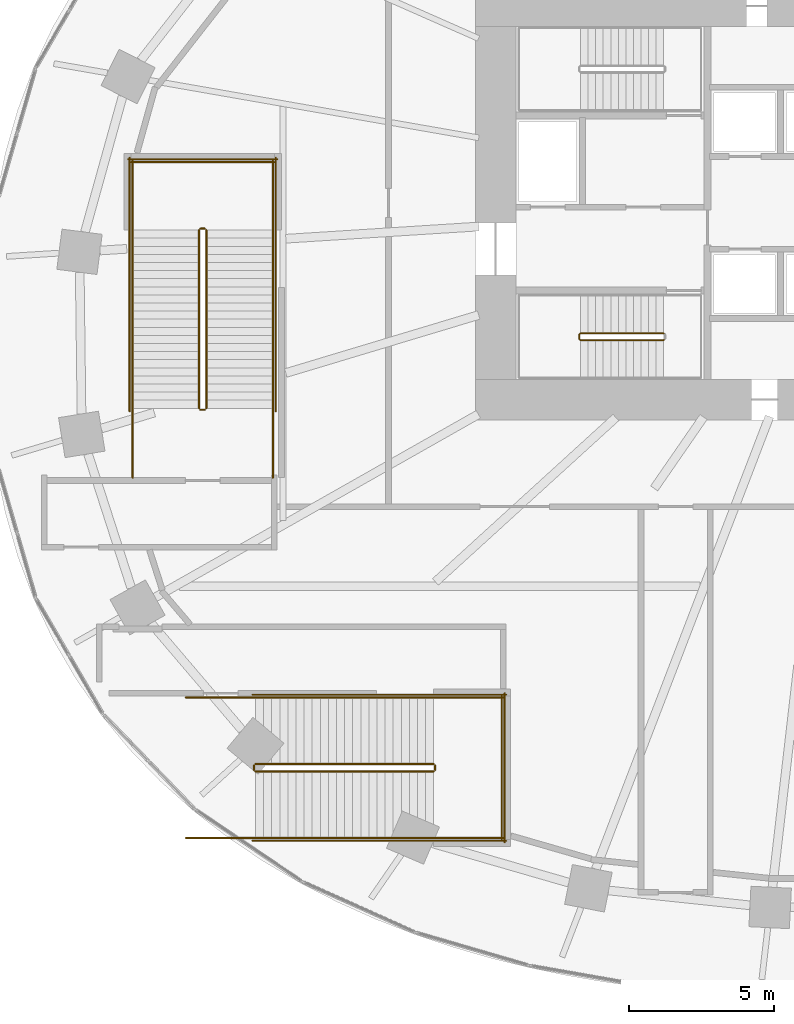
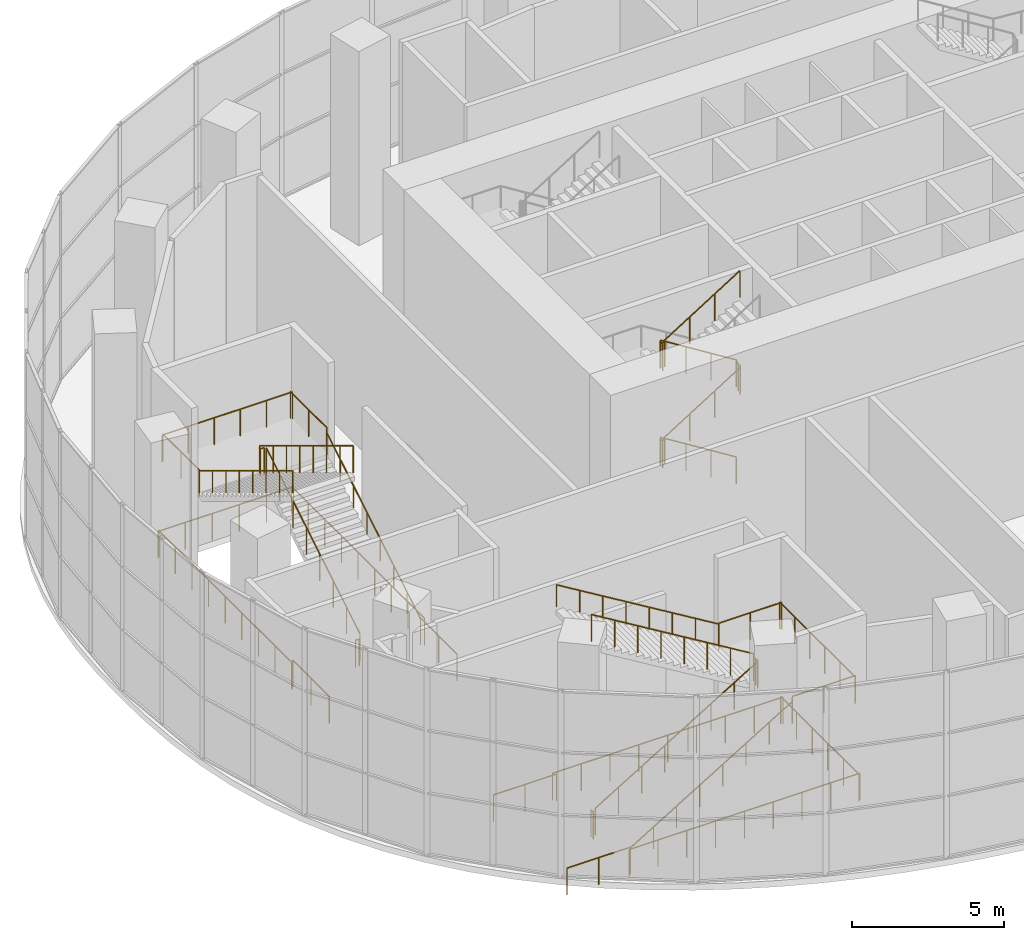
# One storey, part 18 of 22: 29 railings.
"""IFC4 building model written with IfcOpenShell, lengths in metres."""

from ifc_helpers import new_model, si_unit, direction, frame, origin, origin_2d, place, context, subcontext, project, spatial, circle, extrude, material, type_object, element, save


model = new_model("IFC4")

# Units and contexts
model_context = context("Model", 3, precision=1e-05, world=origin(), true_north=direction((0.0, 1.0)))
body_context = subcontext(model_context, "Body", "Model", "MODEL_VIEW")
ifc_project = project(units=[si_unit("LENGTHUNIT", "METRE"), si_unit("AREAUNIT", "SQUARE_METRE"), si_unit("VOLUMEUNIT", "CUBIC_METRE"), si_unit("PLANEANGLEUNIT", "RADIAN"), si_unit("MASSUNIT", "GRAM", prefix="KILO")], contexts=[model_context])

# Site, building, storey
site_placement = place(None, origin())
site = spatial("IfcSite", under=ifc_project, at=site_placement, CompositionType="ELEMENT")
building_placement = place(site_placement, origin())
building = spatial("IfcBuilding", under=site, at=building_placement, Name="Rubra Terraces Tower", CompositionType="ELEMENT")
storey_placement = place(building_placement, frame((0.0, 0.0, 7.199951171875)))
storey = spatial("IfcBuildingStorey", under=building, at=storey_placement, Name="L01", CompositionType="ELEMENT", Elevation=7.199951171875)

# Railings
ifc_material = material(Name="Stainless steel", Category="steel")
railing_type_1 = type_object("IfcRailingType", Name="Core stair guard 1100", PredefinedType="GUARDRAIL", material=ifc_material)
railing_1_placement = place(storey_placement, frame((-6.5, 0.0, 0.16259765625)))
element("IfcRailing", 1, at=railing_1_placement, inside=storey, type_object=railing_type_1, Name="L01 stair S1 guard 1", PredefinedType="GUARDRAIL", context=body_context, shape_type="SweptSolid", body=[
    extrude(circle(Radius=0.02392578125, at=origin_2d()), frame((0.0, 0.0, 1.076171875), z_axis=(-0.848026770018, 0.0, 0.529953391661), x_axis=(0.0, -1.0, 0.0)), (0.0, 0.0, 1.0), 3.37255859375),
    extrude(circle(Radius=0.02392578125, at=origin_2d()), frame((-2.860107421875, 0.0, 2.86328125), z_axis=(-0.705375805398, -0.708833529934, 0.0), x_axis=(0.708833529934, -0.705375805398, 0.0)), (0.0, 0.0, 1.0), 0.070556640625),
    extrude(circle(Radius=0.02392578125, at=origin_2d()), frame((-2.909912109375, -0.050048828125, 2.86328125), z_axis=(0.0, -1.0, 0.0), x_axis=(1.0, 0.0, 0.0)), (0.0, 0.0, 1.0), 0.14990234375),
    extrude(circle(Radius=0.02392578125, at=origin_2d()), frame((-2.909912109375, -0.199951171875, 2.86328125), z_axis=(0.280959487676, -0.282336740067, 0.917250092119), x_axis=(0.708833529934, 0.705375805398, 0.0)), (0.0, 0.0, 1.0), 0.17724609375),
    extrude(circle(Radius=0.02392578125, at=origin_2d()), frame((-2.860107421875, -0.25, 3.02587890625), z_axis=(0.847994237388, 0.0, 0.530005446535), x_axis=(0.0, 1.0, 0.0)), (0.0, 0.0, 1.0), 3.372802734375),
    extrude(circle(Radius=0.02392578125, at=origin_2d()), frame((0.0, -0.25, 4.8134765625), z_axis=(0.707106781187, 0.707106781187, 0.0), x_axis=(-0.707106781187, 0.707106781187, 0.0)), (0.0, 0.0, 1.0), 0.07080078125),
    extrude(circle(Radius=0.02392578125, at=origin_2d()), frame((0.050048828125, -0.199951171875, 4.8134765625), z_axis=(0.0, 1.0, 0.0), x_axis=(-1.0, 0.0, 0.0)), (0.0, 0.0, 1.0), 0.14990234375),
    extrude(circle(Radius=0.02392578125, at=origin_2d()), frame((0.050048828125, -0.050048828125, 4.8134765625), z_axis=(-0.282583949758, 0.282583949758, 0.916674763849), x_axis=(-0.707106781187, -0.707106781187, 0.0)), (0.0, 0.0, 1.0), 0.177001953125),
    extrude(circle(Radius=0.02392578125, at=origin_2d()), frame((0.0, 0.0, 4.97607421875), z_axis=(-0.847994237388, 0.0, 0.530005446535), x_axis=(0.0, -1.0, 0.0)), (0.0, 0.0, 1.0), 3.372802734375),
    extrude(circle(Radius=0.02392578125, at=origin_2d()), frame((-2.860107421875, 0.0, 6.763671875), z_axis=(-0.705375805398, -0.708833529934, 0.0), x_axis=(0.708833529934, -0.705375805398, 0.0)), (0.0, 0.0, 1.0), 0.070556640625),
    extrude(circle(Radius=0.02392578125, at=origin_2d()), frame((-2.909912109375, -0.050048828125, 6.763671875), z_axis=(0.0, -1.0, 0.0), x_axis=(1.0, 0.0, 0.0)), (0.0, 0.0, 1.0), 0.14990234375),
    extrude(circle(Radius=0.02392578125, at=origin_2d()), frame((-2.909912109375, -0.199951171875, 6.763671875), z_axis=(0.281314826061, -0.282693820306, 0.917031173188), x_axis=(0.708833529934, 0.705375805398, 0.0)), (0.0, 0.0, 1.0), 0.177001953125),
    extrude(circle(Radius=0.02392578125, at=origin_2d()), frame((-2.860107421875, -0.25, 6.92578125), z_axis=(0.847994237388, 0.0, 0.530005446535), x_axis=(0.0, 1.0, 0.0)), (0.0, 0.0, 1.0), 3.372802734375),
    extrude(circle(Radius=0.02099609375, at=origin_2d()), origin(), (0.0, 0.0, 1.0), 1.052001953125),
    extrude(circle(Radius=0.02099609375, at=origin_2d()), frame((-0.953369140625, 0.0, 0.595703125)), (0.0, 0.0, 1.0), 1.052001953125),
    extrude(circle(Radius=0.02099609375, at=origin_2d()), frame((-1.90673828125, 0.0, 1.191650390625)), (0.0, 0.0, 1.0), 1.052001953125),
    extrude(circle(Radius=0.02099609375, at=origin_2d()), frame((-2.860107421875, 0.0, 1.787353515625)), (0.0, 0.0, 1.0), 1.052001953125),
    extrude(circle(Radius=0.02099609375, at=origin_2d()), frame((-2.909912109375, -0.050048828125, 1.787353515625)), (0.0, 0.0, 1.0), 1.052001953125),
    extrude(circle(Radius=0.02099609375, at=origin_2d()), frame((-2.909912109375, -0.199951171875, 1.787353515625)), (0.0, 0.0, 1.0), 1.052001953125),
    extrude(circle(Radius=0.02099609375, at=origin_2d()), frame((-2.860107421875, -0.25, 1.949951171875)), (0.0, 0.0, 1.0), 1.052001953125),
    extrude(circle(Radius=0.02099609375, at=origin_2d()), frame((-1.90673828125, -0.25, 2.5458984375)), (0.0, 0.0, 1.0), 1.052001953125),
    extrude(circle(Radius=0.02099609375, at=origin_2d()), frame((-0.953369140625, -0.25, 3.1416015625)), (0.0, 0.0, 1.0), 1.052001953125),
    extrude(circle(Radius=0.02099609375, at=origin_2d()), frame((0.0, -0.25, 3.737548828125)), (0.0, 0.0, 1.0), 1.052001953125),
    extrude(circle(Radius=0.02099609375, at=origin_2d()), frame((0.050048828125, -0.199951171875, 3.737548828125)), (0.0, 0.0, 1.0), 1.052001953125),
    extrude(circle(Radius=0.02099609375, at=origin_2d()), frame((0.050048828125, -0.050048828125, 3.737548828125)), (0.0, 0.0, 1.0), 1.052001953125),
    extrude(circle(Radius=0.02099609375, at=origin_2d()), frame((0.0, 0.0, 3.89990234375)), (0.0, 0.0, 1.0), 1.052001953125),
    extrude(circle(Radius=0.02099609375, at=origin_2d()), frame((-0.953369140625, 0.0, 4.495849609375)), (0.0, 0.0, 1.0), 1.052001953125),
    extrude(circle(Radius=0.02099609375, at=origin_2d()), frame((-1.90673828125, 0.0, 5.091552734375)), (0.0, 0.0, 1.0), 1.052001953125),
    extrude(circle(Radius=0.02099609375, at=origin_2d()), frame((-2.860107421875, 0.0, 5.6875)), (0.0, 0.0, 1.0), 1.052001953125),
    extrude(circle(Radius=0.02099609375, at=origin_2d()), frame((-2.909912109375, -0.050048828125, 5.6875)), (0.0, 0.0, 1.0), 1.052001953125),
    extrude(circle(Radius=0.02099609375, at=origin_2d()), frame((-2.909912109375, -0.199951171875, 5.6875)), (0.0, 0.0, 1.0), 1.052001953125),
    extrude(circle(Radius=0.02099609375, at=origin_2d()), frame((-2.860107421875, -0.25, 5.849853515625)), (0.0, 0.0, 1.0), 1.052001953125),
    extrude(circle(Radius=0.02099609375, at=origin_2d()), frame((-1.90673828125, -0.25, 6.44580078125)), (0.0, 0.0, 1.0), 1.052001953125),
    extrude(circle(Radius=0.02099609375, at=origin_2d()), frame((-0.953369140625, -0.25, 7.04150390625)), (0.0, 0.0, 1.0), 1.052001953125),
    extrude(circle(Radius=0.02099609375, at=origin_2d()), frame((0.0, -0.25, 7.637451171875)), (0.0, 0.0, 1.0), 1.052001953125),
])
railing_type_2 = type_object("IfcRailingType", Name="Public stair guard 1100", PredefinedType="GUARDRAIL", material=ifc_material)
railing_2_placement = place(storey_placement, frame((-22.300048828125, -2.60009765625, 0.169677734375)))
element("IfcRailing", 2, at=railing_2_placement, inside=storey, type_object=railing_type_2, Name="L01 PS1 stair guard 1", PredefinedType="GUARDRAIL", context=body_context, shape_type="SweptSolid", body=[
    extrude(circle(Radius=0.02392578125, at=origin_2d()), frame((0.0, 0.0, 1.076171875), z_axis=(0.0, 0.855379917629, 0.518001154937), x_axis=(-1.0, 0.0, 0.0)), (0.0, 0.0, 1.0), 7.20166015625),
    extrude(circle(Radius=0.02099609375, at=origin_2d()), origin(), (0.0, 0.0, 1.0), 1.052001953125),
    extrude(circle(Radius=0.02099609375, at=origin_2d()), frame((0.0, 0.880126953125, 0.532958984375)), (0.0, 0.0, 1.0), 1.052001953125),
    extrude(circle(Radius=0.02099609375, at=origin_2d()), frame((0.0, 1.760009765625, 1.06591796875)), (0.0, 0.0, 1.0), 1.052001953125),
    extrude(circle(Radius=0.02099609375, at=origin_2d()), frame((0.0, 2.64013671875, 1.598876953125)), (0.0, 0.0, 1.0), 1.052001953125),
    extrude(circle(Radius=0.02099609375, at=origin_2d()), frame((0.0, 3.52001953125, 2.131591796875)), (0.0, 0.0, 1.0), 1.052001953125),
    extrude(circle(Radius=0.02099609375, at=origin_2d()), frame((0.0, 4.400146484375, 2.66455078125)), (0.0, 0.0, 1.0), 1.052001953125),
    extrude(circle(Radius=0.02099609375, at=origin_2d()), frame((0.0, 5.280029296875, 3.197509765625)), (0.0, 0.0, 1.0), 1.052001953125),
    extrude(circle(Radius=0.02099609375, at=origin_2d()), frame((0.0, 6.16015625, 3.73046875)), (0.0, 0.0, 1.0), 1.052001953125),
])
railing_3_placement = place(storey_placement, frame((-22.35009765625, 3.610107421875, 3.900146484375)))
element("IfcRailing", 3, at=railing_3_placement, inside=storey, type_object=railing_type_2, Name="L01 PS1 stair guard 2", PredefinedType="GUARDRAIL", context=body_context, shape_type="SweptSolid", body=[
    extrude(circle(Radius=0.02392578125, at=origin_2d()), frame((0.0, 0.0, 1.076171875), z_axis=(-1.0, 0.0, 0.0), x_axis=(0.0, -1.0, 0.0)), (0.0, 0.0, 1.0), 0.14990234375),
    extrude(circle(Radius=0.02099609375, at=origin_2d()), origin(), (0.0, 0.0, 1.0), 1.052001953125),
    extrude(circle(Radius=0.02099609375, at=origin_2d()), frame((-0.14990234375, 0.0, 0.0)), (0.0, 0.0, 1.0), 1.052001953125),
])
for number, where, name in (
    (4, (-20.0, 3.56005859375, 3.900146484375), "L01 PS1 stair guard 3"),
    (5, (-24.85009765625, 3.56005859375, 3.900146484375), "L01 PS1 stair guard 4"),
):
    element("IfcRailing", number, at=place(storey_placement, frame(where)), inside=storey, type_object=railing_type_2, Name=name, PredefinedType="GUARDRAIL", context=body_context, shape_type="SweptSolid", body=[
        extrude(circle(Radius=0.02392578125, at=origin_2d()), frame((0.0, 0.0, 1.076171875), z_axis=(0.0, 1.0, 0.0), x_axis=(-1.0, 0.0, 0.0)), (0.0, 0.0, 1.0), 2.39990234375),
        extrude(circle(Radius=0.02099609375, at=origin_2d()), origin(), (0.0, 0.0, 1.0), 1.052001953125),
        extrude(circle(Radius=0.02099609375, at=origin_2d()), frame((0.0, 1.199951171875, 0.0)), (0.0, 0.0, 1.0), 1.052001953125),
        extrude(circle(Radius=0.02099609375, at=origin_2d()), frame((0.0, 2.39990234375, 0.0)), (0.0, 0.0, 1.0), 1.052001953125),
    ])
railing_4_placement = place(storey_placement, frame((-19.949951171875, 5.909912109375, 3.900146484375)))
element("IfcRailing", 6, at=railing_4_placement, inside=storey, type_object=railing_type_2, Name="L01 PS1 stair guard 5", PredefinedType="GUARDRAIL", context=body_context, shape_type="SweptSolid", body=[
    extrude(circle(Radius=0.02392578125, at=origin_2d()), frame((0.0, 0.0, 1.076171875), z_axis=(-1.0, 0.0, 0.0), x_axis=(0.0, -1.0, 0.0)), (0.0, 0.0, 1.0), 4.949951171875),
    extrude(circle(Radius=0.02099609375, at=origin_2d()), origin(), (0.0, 0.0, 1.0), 1.052001953125),
    extrude(circle(Radius=0.02099609375, at=origin_2d()), frame((-0.989990234375, 0.0, 0.0)), (0.0, 0.0, 1.0), 1.052001953125),
    extrude(circle(Radius=0.02099609375, at=origin_2d()), frame((-1.97998046875, 0.0, 0.0)), (0.0, 0.0, 1.0), 1.052001953125),
    extrude(circle(Radius=0.02099609375, at=origin_2d()), frame((-2.969970703125, 0.0, 0.0)), (0.0, 0.0, 1.0), 1.052001953125),
    extrude(circle(Radius=0.02099609375, at=origin_2d()), frame((-3.9599609375, 0.0, 0.0)), (0.0, 0.0, 1.0), 1.052001953125),
    extrude(circle(Radius=0.02099609375, at=origin_2d()), frame((-4.949951171875, 0.0, 0.0)), (0.0, 0.0, 1.0), 1.052001953125),
])
railing_5_placement = place(storey_placement, frame((-22.550048828125, 3.56005859375, 4.069580078125)))
element("IfcRailing", 7, at=railing_5_placement, inside=storey, type_object=railing_type_2, Name="L01 PS1 stair guard 6", PredefinedType="GUARDRAIL", context=body_context, shape_type="SweptSolid", body=[
    extrude(circle(Radius=0.02392578125, at=origin_2d()), frame((0.0, 0.0, 1.076171875), z_axis=(0.0, -0.855379917629, 0.518001154937), x_axis=(1.0, 0.0, 0.0)), (0.0, 0.0, 1.0), 7.20166015625),
    extrude(circle(Radius=0.02099609375, at=origin_2d()), origin(), (0.0, 0.0, 1.0), 1.052001953125),
    extrude(circle(Radius=0.02099609375, at=origin_2d()), frame((0.0, -0.880126953125, 0.532958984375)), (0.0, 0.0, 1.0), 1.052001953125),
    extrude(circle(Radius=0.02099609375, at=origin_2d()), frame((0.0, -1.760009765625, 1.06591796875)), (0.0, 0.0, 1.0), 1.052001953125),
    extrude(circle(Radius=0.02099609375, at=origin_2d()), frame((0.0, -2.64013671875, 1.598876953125)), (0.0, 0.0, 1.0), 1.052001953125),
    extrude(circle(Radius=0.02099609375, at=origin_2d()), frame((0.0, -3.52001953125, 2.131591796875)), (0.0, 0.0, 1.0), 1.052001953125),
    extrude(circle(Radius=0.02099609375, at=origin_2d()), frame((0.0, -4.400146484375, 2.66455078125)), (0.0, 0.0, 1.0), 1.052001953125),
    extrude(circle(Radius=0.02099609375, at=origin_2d()), frame((0.0, -5.280029296875, 3.197509765625)), (0.0, 0.0, 1.0), 1.052001953125),
    extrude(circle(Radius=0.02099609375, at=origin_2d()), frame((0.0, -6.16015625, 3.73046875)), (0.0, 0.0, 1.0), 1.052001953125),
])
railing_6_placement = place(storey_placement, frame((-22.35009765625, -2.64990234375, 0.0)))
element("IfcRailing", 8, at=railing_6_placement, inside=storey, type_object=railing_type_2, Name="L01 PS1 stair guard 7", PredefinedType="GUARDRAIL", context=body_context, shape_type="SweptSolid", body=[
    extrude(circle(Radius=0.02392578125, at=origin_2d()), frame((0.0, 0.0, 1.076171875), z_axis=(-1.0, 0.0, 0.0), x_axis=(0.0, -1.0, 0.0)), (0.0, 0.0, 1.0), 0.14990234375),
    extrude(circle(Radius=0.02099609375, at=origin_2d()), origin(), (0.0, 0.0, 1.0), 1.052001953125),
    extrude(circle(Radius=0.02099609375, at=origin_2d()), frame((-0.14990234375, 0.0, 0.0)), (0.0, 0.0, 1.0), 1.052001953125),
])
for number, where, name in (
    (9, (-20.0, -5.0, 0.0), "L01 PS1 stair guard 8"),
    (10, (-24.85009765625, -5.0, 0.0), "L01 PS1 stair guard 9"),
):
    element("IfcRailing", number, at=place(storey_placement, frame(where)), inside=storey, type_object=railing_type_2, Name=name, PredefinedType="GUARDRAIL", context=body_context, shape_type="SweptSolid", body=[
        extrude(circle(Radius=0.02392578125, at=origin_2d()), frame((0.0, 0.0, 1.076171875), z_axis=(0.0, 1.0, 0.0), x_axis=(-1.0, 0.0, 0.0)), (0.0, 0.0, 1.0), 2.39990234375),
        extrude(circle(Radius=0.02099609375, at=origin_2d()), origin(), (0.0, 0.0, 1.0), 1.052001953125),
        extrude(circle(Radius=0.02099609375, at=origin_2d()), frame((0.0, 1.199951171875, 0.0)), (0.0, 0.0, 1.0), 1.052001953125),
        extrude(circle(Radius=0.02099609375, at=origin_2d()), frame((0.0, 2.39990234375, 0.0)), (0.0, 0.0, 1.0), 1.052001953125),
    ])
for number, where, name in (
    (11, (-19.89990234375, -2.699951171875, 0.0), "L01 PS1 stair guard 10"),
    (12, (-24.949951171875, -2.699951171875, 0.0), "L01 PS1 stair guard 11"),
):
    element("IfcRailing", number, at=place(storey_placement, frame(where)), inside=storey, type_object=railing_type_2, Name=name, PredefinedType="GUARDRAIL", context=body_context, shape_type="SweptSolid", body=[
        extrude(circle(Radius=0.02392578125, at=origin_2d()), frame((0.0, 0.0, 1.076171875), z_axis=(0.0, 1.0, 0.0), x_axis=(-1.0, 0.0, 0.0)), (0.0, 0.0, 1.0), 8.760009765625),
        extrude(circle(Radius=0.02099609375, at=origin_2d()), origin(), (0.0, 0.0, 1.0), 1.052001953125),
        extrude(circle(Radius=0.02099609375, at=origin_2d()), frame((0.0, 1.094970703125, 0.0)), (0.0, 0.0, 1.0), 1.052001953125),
        extrude(circle(Radius=0.02099609375, at=origin_2d()), frame((0.0, 2.18994140625, 0.0)), (0.0, 0.0, 1.0), 1.052001953125),
        extrude(circle(Radius=0.02099609375, at=origin_2d()), frame((0.0, 3.284912109375, 0.0)), (0.0, 0.0, 1.0), 1.052001953125),
        extrude(circle(Radius=0.02099609375, at=origin_2d()), frame((0.0, 4.3798828125, 0.0)), (0.0, 0.0, 1.0), 1.052001953125),
        extrude(circle(Radius=0.02099609375, at=origin_2d()), frame((0.0, 5.47509765625, 0.0)), (0.0, 0.0, 1.0), 1.052001953125),
        extrude(circle(Radius=0.02099609375, at=origin_2d()), frame((0.0, 6.570068359375, 0.0)), (0.0, 0.0, 1.0), 1.052001953125),
        extrude(circle(Radius=0.02099609375, at=origin_2d()), frame((0.0, 7.6650390625, 0.0)), (0.0, 0.0, 1.0), 1.052001953125),
        extrude(circle(Radius=0.02099609375, at=origin_2d()), frame((0.0, 8.760009765625, 0.0)), (0.0, 0.0, 1.0), 1.052001953125),
    ])
railing_7_placement = place(storey_placement, frame((-19.85009765625, 6.010009765625, 0.0)))
element("IfcRailing", 13, at=railing_7_placement, inside=storey, type_object=railing_type_2, Name="L01 PS1 stair guard 12", PredefinedType="GUARDRAIL", context=body_context, shape_type="SweptSolid", body=[
    extrude(circle(Radius=0.02392578125, at=origin_2d()), frame((0.0, 0.0, 1.076171875), z_axis=(-1.0, 0.0, 0.0), x_axis=(0.0, -1.0, 0.0)), (0.0, 0.0, 1.0), 5.14990234375),
    extrude(circle(Radius=0.02099609375, at=origin_2d()), origin(), (0.0, 0.0, 1.0), 1.052001953125),
    extrude(circle(Radius=0.02099609375, at=origin_2d()), frame((-1.030029296875, 0.0, 0.0)), (0.0, 0.0, 1.0), 1.052001953125),
    extrude(circle(Radius=0.02099609375, at=origin_2d()), frame((-2.06005859375, 0.0, 0.0)), (0.0, 0.0, 1.0), 1.052001953125),
    extrude(circle(Radius=0.02099609375, at=origin_2d()), frame((-3.08984375, 0.0, 0.0)), (0.0, 0.0, 1.0), 1.052001953125),
    extrude(circle(Radius=0.02099609375, at=origin_2d()), frame((-4.119873046875, 0.0, 0.0)), (0.0, 0.0, 1.0), 1.052001953125),
    extrude(circle(Radius=0.02099609375, at=origin_2d()), frame((-5.14990234375, 0.0, 0.0)), (0.0, 0.0, 1.0), 1.052001953125),
])
railing_8_placement = place(storey_placement, frame((-20.60009765625, -15.14990234375, 0.169677734375)))
element("IfcRailing", 14, at=railing_8_placement, inside=storey, type_object=railing_type_2, Name="L01 PS3 stair guard 1", PredefinedType="GUARDRAIL", context=body_context, shape_type="SweptSolid", body=[
    extrude(circle(Radius=0.02392578125, at=origin_2d()), frame((0.0, 0.0, 1.076171875), z_axis=(0.855379917629, 0.0, 0.518001154937), x_axis=(0.0, 1.0, 0.0)), (0.0, 0.0, 1.0), 7.20166015625),
    extrude(circle(Radius=0.02099609375, at=origin_2d()), origin(), (0.0, 0.0, 1.0), 1.052001953125),
    extrude(circle(Radius=0.02099609375, at=origin_2d()), frame((0.880126953125, 0.0, 0.532958984375)), (0.0, 0.0, 1.0), 1.052001953125),
    extrude(circle(Radius=0.02099609375, at=origin_2d()), frame((1.760009765625, 0.0, 1.06591796875)), (0.0, 0.0, 1.0), 1.052001953125),
    extrude(circle(Radius=0.02099609375, at=origin_2d()), frame((2.64013671875, 0.0, 1.598876953125)), (0.0, 0.0, 1.0), 1.052001953125),
    extrude(circle(Radius=0.02099609375, at=origin_2d()), frame((3.52001953125, 0.0, 2.131591796875)), (0.0, 0.0, 1.0), 1.052001953125),
    extrude(circle(Radius=0.02099609375, at=origin_2d()), frame((4.400146484375, 0.0, 2.66455078125)), (0.0, 0.0, 1.0), 1.052001953125),
    extrude(circle(Radius=0.02099609375, at=origin_2d()), frame((5.280029296875, 0.0, 3.197509765625)), (0.0, 0.0, 1.0), 1.052001953125),
    extrude(circle(Radius=0.02099609375, at=origin_2d()), frame((6.16015625, 0.0, 3.73046875)), (0.0, 0.0, 1.0), 1.052001953125),
])
railing_9_placement = place(storey_placement, frame((-14.389892578125, -15.10009765625, 3.900146484375)))
element("IfcRailing", 15, at=railing_9_placement, inside=storey, type_object=railing_type_2, Name="L01 PS3 stair guard 2", PredefinedType="GUARDRAIL", context=body_context, shape_type="SweptSolid", body=[
    extrude(circle(Radius=0.02392578125, at=origin_2d()), frame((0.0, 0.0, 1.076171875), z_axis=(0.0, 1.0, 0.0), x_axis=(-1.0, 0.0, 0.0)), (0.0, 0.0, 1.0), 0.150146484375),
    extrude(circle(Radius=0.02099609375, at=origin_2d()), origin(), (0.0, 0.0, 1.0), 1.052001953125),
    extrude(circle(Radius=0.02099609375, at=origin_2d()), frame((0.0, 0.150146484375, 0.0)), (0.0, 0.0, 1.0), 1.052001953125),
])
for number, where, name in (
    (16, (-14.43994140625, -17.449951171875, 3.900146484375), "L01 PS3 stair guard 3"),
    (17, (-14.43994140625, -12.60009765625, 3.900146484375), "L01 PS3 stair guard 4"),
):
    element("IfcRailing", number, at=place(storey_placement, frame(where)), inside=storey, type_object=railing_type_2, Name=name, PredefinedType="GUARDRAIL", context=body_context, shape_type="SweptSolid", body=[
        extrude(circle(Radius=0.02392578125, at=origin_2d()), frame((0.0, 0.0, 1.076171875), z_axis=(1.0, 0.0, 0.0), x_axis=(0.0, 1.0, 0.0)), (0.0, 0.0, 1.0), 2.39990234375),
        extrude(circle(Radius=0.02099609375, at=origin_2d()), origin(), (0.0, 0.0, 1.0), 1.052001953125),
        extrude(circle(Radius=0.02099609375, at=origin_2d()), frame((1.199951171875, 0.0, 0.0)), (0.0, 0.0, 1.0), 1.052001953125),
        extrude(circle(Radius=0.02099609375, at=origin_2d()), frame((2.39990234375, 0.0, 0.0)), (0.0, 0.0, 1.0), 1.052001953125),
    ])
railing_10_placement = place(storey_placement, frame((-12.090087890625, -17.5, 3.900146484375)))
element("IfcRailing", 18, at=railing_10_placement, inside=storey, type_object=railing_type_2, Name="L01 PS3 stair guard 5", PredefinedType="GUARDRAIL", context=body_context, shape_type="SweptSolid", body=[
    extrude(circle(Radius=0.02392578125, at=origin_2d()), frame((0.0, 0.0, 1.076171875), z_axis=(0.0, 1.0, 0.0), x_axis=(-1.0, 0.0, 0.0)), (0.0, 0.0, 1.0), 4.949951171875),
    extrude(circle(Radius=0.02099609375, at=origin_2d()), origin(), (0.0, 0.0, 1.0), 1.052001953125),
    extrude(circle(Radius=0.02099609375, at=origin_2d()), frame((0.0, 0.989990234375, 0.0)), (0.0, 0.0, 1.0), 1.052001953125),
    extrude(circle(Radius=0.02099609375, at=origin_2d()), frame((0.0, 1.97998046875, 0.0)), (0.0, 0.0, 1.0), 1.052001953125),
    extrude(circle(Radius=0.02099609375, at=origin_2d()), frame((0.0, 2.969970703125, 0.0)), (0.0, 0.0, 1.0), 1.052001953125),
    extrude(circle(Radius=0.02099609375, at=origin_2d()), frame((0.0, 3.9599609375, 0.0)), (0.0, 0.0, 1.0), 1.052001953125),
    extrude(circle(Radius=0.02099609375, at=origin_2d()), frame((0.0, 4.949951171875, 0.0)), (0.0, 0.0, 1.0), 1.052001953125),
])
railing_11_placement = place(storey_placement, frame((-14.43994140625, -14.89990234375, 4.069580078125)))
element("IfcRailing", 19, at=railing_11_placement, inside=storey, type_object=railing_type_2, Name="L01 PS3 stair guard 6", PredefinedType="GUARDRAIL", context=body_context, shape_type="SweptSolid", body=[
    extrude(circle(Radius=0.02392578125, at=origin_2d()), frame((0.0, 0.0, 1.076171875), z_axis=(-0.855379917629, 0.0, 0.518001154937), x_axis=(0.0, -1.0, 0.0)), (0.0, 0.0, 1.0), 7.20166015625),
    extrude(circle(Radius=0.02099609375, at=origin_2d()), origin(), (0.0, 0.0, 1.0), 1.052001953125),
    extrude(circle(Radius=0.02099609375, at=origin_2d()), frame((-0.880126953125, 0.0, 0.532958984375)), (0.0, 0.0, 1.0), 1.052001953125),
    extrude(circle(Radius=0.02099609375, at=origin_2d()), frame((-1.760009765625, 0.0, 1.06591796875)), (0.0, 0.0, 1.0), 1.052001953125),
    extrude(circle(Radius=0.02099609375, at=origin_2d()), frame((-2.64013671875, 0.0, 1.598876953125)), (0.0, 0.0, 1.0), 1.052001953125),
    extrude(circle(Radius=0.02099609375, at=origin_2d()), frame((-3.52001953125, 0.0, 2.131591796875)), (0.0, 0.0, 1.0), 1.052001953125),
    extrude(circle(Radius=0.02099609375, at=origin_2d()), frame((-4.400146484375, 0.0, 2.66455078125)), (0.0, 0.0, 1.0), 1.052001953125),
    extrude(circle(Radius=0.02099609375, at=origin_2d()), frame((-5.280029296875, 0.0, 3.197509765625)), (0.0, 0.0, 1.0), 1.052001953125),
    extrude(circle(Radius=0.02099609375, at=origin_2d()), frame((-6.16015625, 0.0, 3.73046875)), (0.0, 0.0, 1.0), 1.052001953125),
])
railing_12_placement = place(storey_placement, frame((-20.64990234375, -15.10009765625, 0.0)))
element("IfcRailing", 20, at=railing_12_placement, inside=storey, type_object=railing_type_2, Name="L01 PS3 stair guard 7", PredefinedType="GUARDRAIL", context=body_context, shape_type="SweptSolid", body=[
    extrude(circle(Radius=0.02392578125, at=origin_2d()), frame((0.0, 0.0, 1.076171875), z_axis=(0.0, 1.0, 0.0), x_axis=(-1.0, 0.0, 0.0)), (0.0, 0.0, 1.0), 0.150146484375),
    extrude(circle(Radius=0.02099609375, at=origin_2d()), origin(), (0.0, 0.0, 1.0), 1.052001953125),
    extrude(circle(Radius=0.02099609375, at=origin_2d()), frame((0.0, 0.150146484375, 0.0)), (0.0, 0.0, 1.0), 1.052001953125),
])
for number, where, name in (
    (21, (-23.0, -17.449951171875, 0.0), "L01 PS3 stair guard 8"),
    (22, (-23.0, -12.60009765625, 0.0), "L01 PS3 stair guard 9"),
):
    element("IfcRailing", number, at=place(storey_placement, frame(where)), inside=storey, type_object=railing_type_2, Name=name, PredefinedType="GUARDRAIL", context=body_context, shape_type="SweptSolid", body=[
        extrude(circle(Radius=0.02392578125, at=origin_2d()), frame((0.0, 0.0, 1.076171875), z_axis=(1.0, 0.0, 0.0), x_axis=(0.0, 1.0, 0.0)), (0.0, 0.0, 1.0), 2.39990234375),
        extrude(circle(Radius=0.02099609375, at=origin_2d()), origin(), (0.0, 0.0, 1.0), 1.052001953125),
        extrude(circle(Radius=0.02099609375, at=origin_2d()), frame((1.199951171875, 0.0, 0.0)), (0.0, 0.0, 1.0), 1.052001953125),
        extrude(circle(Radius=0.02099609375, at=origin_2d()), frame((2.39990234375, 0.0, 0.0)), (0.0, 0.0, 1.0), 1.052001953125),
    ])
for number, where, name in (
    (23, (-20.699951171875, -17.550048828125, 0.0), "L01 PS3 stair guard 10"),
    (24, (-20.699951171875, -12.5, 0.0), "L01 PS3 stair guard 11"),
):
    element("IfcRailing", number, at=place(storey_placement, frame(where)), inside=storey, type_object=railing_type_2, Name=name, PredefinedType="GUARDRAIL", context=body_context, shape_type="SweptSolid", body=[
        extrude(circle(Radius=0.02392578125, at=origin_2d()), frame((0.0, 0.0, 1.076171875), z_axis=(1.0, 0.0, 0.0), x_axis=(0.0, 1.0, 0.0)), (0.0, 0.0, 1.0), 8.760009765625),
        extrude(circle(Radius=0.02099609375, at=origin_2d()), origin(), (0.0, 0.0, 1.0), 1.052001953125),
        extrude(circle(Radius=0.02099609375, at=origin_2d()), frame((1.094970703125, 0.0, 0.0)), (0.0, 0.0, 1.0), 1.052001953125),
        extrude(circle(Radius=0.02099609375, at=origin_2d()), frame((2.18994140625, 0.0, 0.0)), (0.0, 0.0, 1.0), 1.052001953125),
        extrude(circle(Radius=0.02099609375, at=origin_2d()), frame((3.284912109375, 0.0, 0.0)), (0.0, 0.0, 1.0), 1.052001953125),
        extrude(circle(Radius=0.02099609375, at=origin_2d()), frame((4.3798828125, 0.0, 0.0)), (0.0, 0.0, 1.0), 1.052001953125),
        extrude(circle(Radius=0.02099609375, at=origin_2d()), frame((5.47509765625, 0.0, 0.0)), (0.0, 0.0, 1.0), 1.052001953125),
        extrude(circle(Radius=0.02099609375, at=origin_2d()), frame((6.570068359375, 0.0, 0.0)), (0.0, 0.0, 1.0), 1.052001953125),
        extrude(circle(Radius=0.02099609375, at=origin_2d()), frame((7.6650390625, 0.0, 0.0)), (0.0, 0.0, 1.0), 1.052001953125),
        extrude(circle(Radius=0.02099609375, at=origin_2d()), frame((8.760009765625, 0.0, 0.0)), (0.0, 0.0, 1.0), 1.052001953125),
    ])
railing_13_placement = place(storey_placement, frame((-11.989990234375, -17.60009765625, 0.0)))
element("IfcRailing", 25, at=railing_13_placement, inside=storey, type_object=railing_type_2, Name="L01 PS3 stair guard 12", PredefinedType="GUARDRAIL", context=body_context, shape_type="SweptSolid", body=[
    extrude(circle(Radius=0.02392578125, at=origin_2d()), frame((0.0, 0.0, 1.076171875), z_axis=(0.0, 1.0, 0.0), x_axis=(-1.0, 0.0, 0.0)), (0.0, 0.0, 1.0), 5.150146484375),
    extrude(circle(Radius=0.02099609375, at=origin_2d()), origin(), (0.0, 0.0, 1.0), 1.052001953125),
    extrude(circle(Radius=0.02099609375, at=origin_2d()), frame((0.0, 1.030029296875, 0.0)), (0.0, 0.0, 1.0), 1.052001953125),
    extrude(circle(Radius=0.02099609375, at=origin_2d()), frame((0.0, 2.06005859375, 0.0)), (0.0, 0.0, 1.0), 1.052001953125),
    extrude(circle(Radius=0.02099609375, at=origin_2d()), frame((0.0, 3.090087890625, 0.0)), (0.0, 0.0, 1.0), 1.052001953125),
    extrude(circle(Radius=0.02099609375, at=origin_2d()), frame((0.0, 4.1201171875, 0.0)), (0.0, 0.0, 1.0), 1.052001953125),
    extrude(circle(Radius=0.02099609375, at=origin_2d()), frame((0.0, 5.150146484375, 0.0)), (0.0, 0.0, 1.0), 1.052001953125),
])
railing_type_3 = type_object("IfcRailingType", Name="Public stair handrail 900", PredefinedType="HANDRAIL", material=ifc_material)
railing_14_placement = place(storey_placement, frame((-20.0, -2.60009765625, 0.169677734375)))
element("IfcRailing", 26, at=railing_14_placement, inside=storey, type_object=railing_type_3, Name="L01 PS1 stair handrail 1", PredefinedType="HANDRAIL", context=body_context, shape_type="SweptSolid", body=[
    extrude(circle(Radius=0.02392578125, at=origin_2d()), frame((0.0, 0.0, 0.8759765625), z_axis=(0.0, 0.855379917629, 0.518001154937), x_axis=(-1.0, 0.0, 0.0)), (0.0, 0.0, 1.0), 7.20166015625),
    extrude(circle(Radius=0.02099609375, at=origin_2d()), origin(), (0.0, 0.0, 1.0), 0.851806640625),
    extrude(circle(Radius=0.02099609375, at=origin_2d()), frame((0.0, 0.880126953125, 0.532958984375)), (0.0, 0.0, 1.0), 0.851806640625),
    extrude(circle(Radius=0.02099609375, at=origin_2d()), frame((0.0, 1.760009765625, 1.06591796875)), (0.0, 0.0, 1.0), 0.851806640625),
    extrude(circle(Radius=0.02099609375, at=origin_2d()), frame((0.0, 2.64013671875, 1.598876953125)), (0.0, 0.0, 1.0), 0.851806640625),
    extrude(circle(Radius=0.02099609375, at=origin_2d()), frame((0.0, 3.52001953125, 2.131591796875)), (0.0, 0.0, 1.0), 0.851806640625),
    extrude(circle(Radius=0.02099609375, at=origin_2d()), frame((0.0, 4.400146484375, 2.66455078125)), (0.0, 0.0, 1.0), 0.851806640625),
    extrude(circle(Radius=0.02099609375, at=origin_2d()), frame((0.0, 5.280029296875, 3.197509765625)), (0.0, 0.0, 1.0), 0.851806640625),
    extrude(circle(Radius=0.02099609375, at=origin_2d()), frame((0.0, 6.16015625, 3.73046875)), (0.0, 0.0, 1.0), 0.851806640625),
])
railing_15_placement = place(storey_placement, frame((-24.85009765625, 3.56005859375, 4.069580078125)))
element("IfcRailing", 27, at=railing_15_placement, inside=storey, type_object=railing_type_3, Name="L01 PS1 stair handrail 2", PredefinedType="HANDRAIL", context=body_context, shape_type="SweptSolid", body=[
    extrude(circle(Radius=0.02392578125, at=origin_2d()), frame((0.0, 0.0, 0.8759765625), z_axis=(0.0, -0.855379917629, 0.518001154937), x_axis=(1.0, 0.0, 0.0)), (0.0, 0.0, 1.0), 7.20166015625),
    extrude(circle(Radius=0.02099609375, at=origin_2d()), origin(), (0.0, 0.0, 1.0), 0.851806640625),
    extrude(circle(Radius=0.02099609375, at=origin_2d()), frame((0.0, -0.880126953125, 0.532958984375)), (0.0, 0.0, 1.0), 0.851806640625),
    extrude(circle(Radius=0.02099609375, at=origin_2d()), frame((0.0, -1.760009765625, 1.06591796875)), (0.0, 0.0, 1.0), 0.851806640625),
    extrude(circle(Radius=0.02099609375, at=origin_2d()), frame((0.0, -2.64013671875, 1.598876953125)), (0.0, 0.0, 1.0), 0.851806640625),
    extrude(circle(Radius=0.02099609375, at=origin_2d()), frame((0.0, -3.52001953125, 2.131591796875)), (0.0, 0.0, 1.0), 0.851806640625),
    extrude(circle(Radius=0.02099609375, at=origin_2d()), frame((0.0, -4.400146484375, 2.66455078125)), (0.0, 0.0, 1.0), 0.851806640625),
    extrude(circle(Radius=0.02099609375, at=origin_2d()), frame((0.0, -5.280029296875, 3.197509765625)), (0.0, 0.0, 1.0), 0.851806640625),
    extrude(circle(Radius=0.02099609375, at=origin_2d()), frame((0.0, -6.16015625, 3.73046875)), (0.0, 0.0, 1.0), 0.851806640625),
])
railing_16_placement = place(storey_placement, frame((-20.60009765625, -17.449951171875, 0.169677734375)))
element("IfcRailing", 28, at=railing_16_placement, inside=storey, type_object=railing_type_3, Name="L01 PS3 stair handrail 1", PredefinedType="HANDRAIL", context=body_context, shape_type="SweptSolid", body=[
    extrude(circle(Radius=0.02392578125, at=origin_2d()), frame((0.0, 0.0, 0.8759765625), z_axis=(0.855379917629, 0.0, 0.518001154937), x_axis=(0.0, 1.0, 0.0)), (0.0, 0.0, 1.0), 7.20166015625),
    extrude(circle(Radius=0.02099609375, at=origin_2d()), origin(), (0.0, 0.0, 1.0), 0.851806640625),
    extrude(circle(Radius=0.02099609375, at=origin_2d()), frame((0.880126953125, 0.0, 0.532958984375)), (0.0, 0.0, 1.0), 0.851806640625),
    extrude(circle(Radius=0.02099609375, at=origin_2d()), frame((1.760009765625, 0.0, 1.06591796875)), (0.0, 0.0, 1.0), 0.851806640625),
    extrude(circle(Radius=0.02099609375, at=origin_2d()), frame((2.64013671875, 0.0, 1.598876953125)), (0.0, 0.0, 1.0), 0.851806640625),
    extrude(circle(Radius=0.02099609375, at=origin_2d()), frame((3.52001953125, 0.0, 2.131591796875)), (0.0, 0.0, 1.0), 0.851806640625),
    extrude(circle(Radius=0.02099609375, at=origin_2d()), frame((4.400146484375, 0.0, 2.66455078125)), (0.0, 0.0, 1.0), 0.851806640625),
    extrude(circle(Radius=0.02099609375, at=origin_2d()), frame((5.280029296875, 0.0, 3.197509765625)), (0.0, 0.0, 1.0), 0.851806640625),
    extrude(circle(Radius=0.02099609375, at=origin_2d()), frame((6.16015625, 0.0, 3.73046875)), (0.0, 0.0, 1.0), 0.851806640625),
])
railing_17_placement = place(storey_placement, frame((-14.43994140625, -12.60009765625, 4.069580078125)))
element("IfcRailing", 29, at=railing_17_placement, inside=storey, type_object=railing_type_3, Name="L01 PS3 stair handrail 2", PredefinedType="HANDRAIL", context=body_context, shape_type="SweptSolid", body=[
    extrude(circle(Radius=0.02392578125, at=origin_2d()), frame((0.0, 0.0, 0.8759765625), z_axis=(-0.855379917629, 0.0, 0.518001154937), x_axis=(0.0, -1.0, 0.0)), (0.0, 0.0, 1.0), 7.20166015625),
    extrude(circle(Radius=0.02099609375, at=origin_2d()), origin(), (0.0, 0.0, 1.0), 0.851806640625),
    extrude(circle(Radius=0.02099609375, at=origin_2d()), frame((-0.880126953125, 0.0, 0.532958984375)), (0.0, 0.0, 1.0), 0.851806640625),
    extrude(circle(Radius=0.02099609375, at=origin_2d()), frame((-1.760009765625, 0.0, 1.06591796875)), (0.0, 0.0, 1.0), 0.851806640625),
    extrude(circle(Radius=0.02099609375, at=origin_2d()), frame((-2.64013671875, 0.0, 1.598876953125)), (0.0, 0.0, 1.0), 0.851806640625),
    extrude(circle(Radius=0.02099609375, at=origin_2d()), frame((-3.52001953125, 0.0, 2.131591796875)), (0.0, 0.0, 1.0), 0.851806640625),
    extrude(circle(Radius=0.02099609375, at=origin_2d()), frame((-4.400146484375, 0.0, 2.66455078125)), (0.0, 0.0, 1.0), 0.851806640625),
    extrude(circle(Radius=0.02099609375, at=origin_2d()), frame((-5.280029296875, 0.0, 3.197509765625)), (0.0, 0.0, 1.0), 0.851806640625),
    extrude(circle(Radius=0.02099609375, at=origin_2d()), frame((-6.16015625, 0.0, 3.73046875)), (0.0, 0.0, 1.0), 0.851806640625),
])

save(model, "model.ifc")
